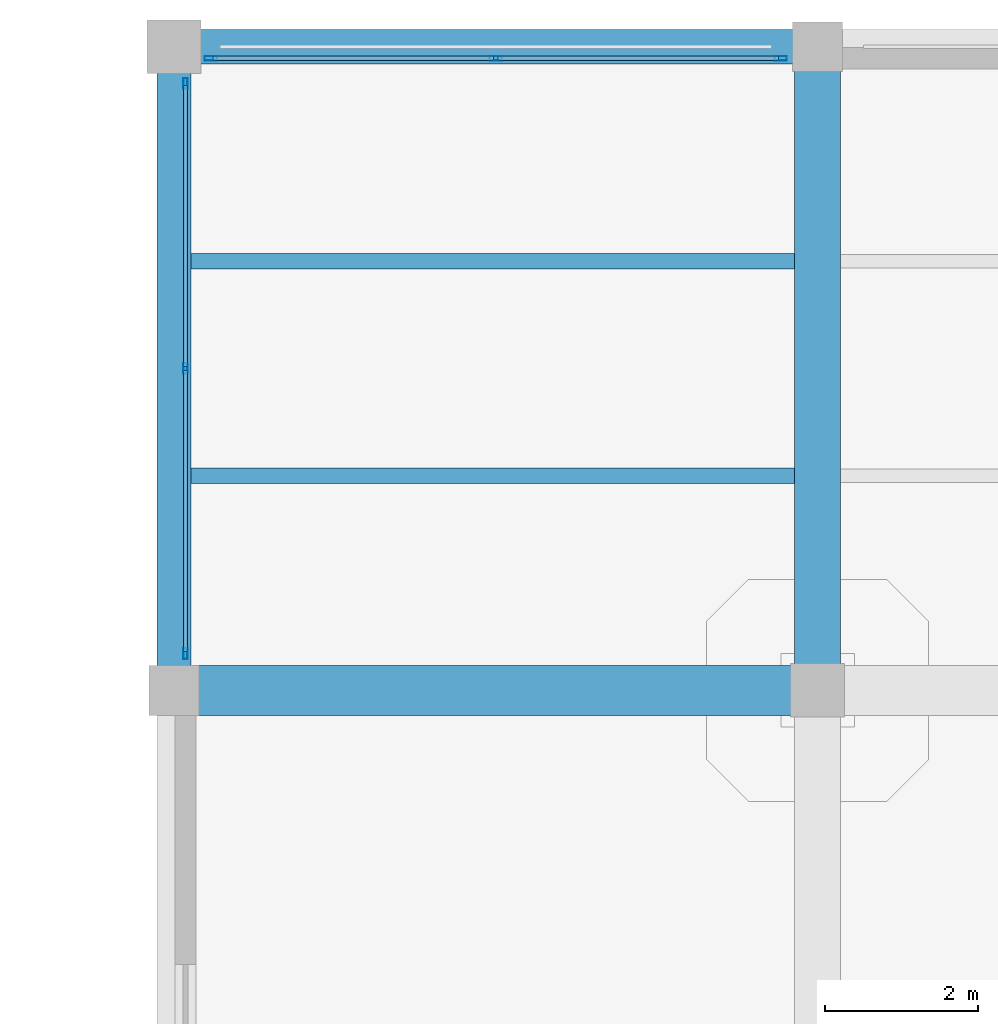
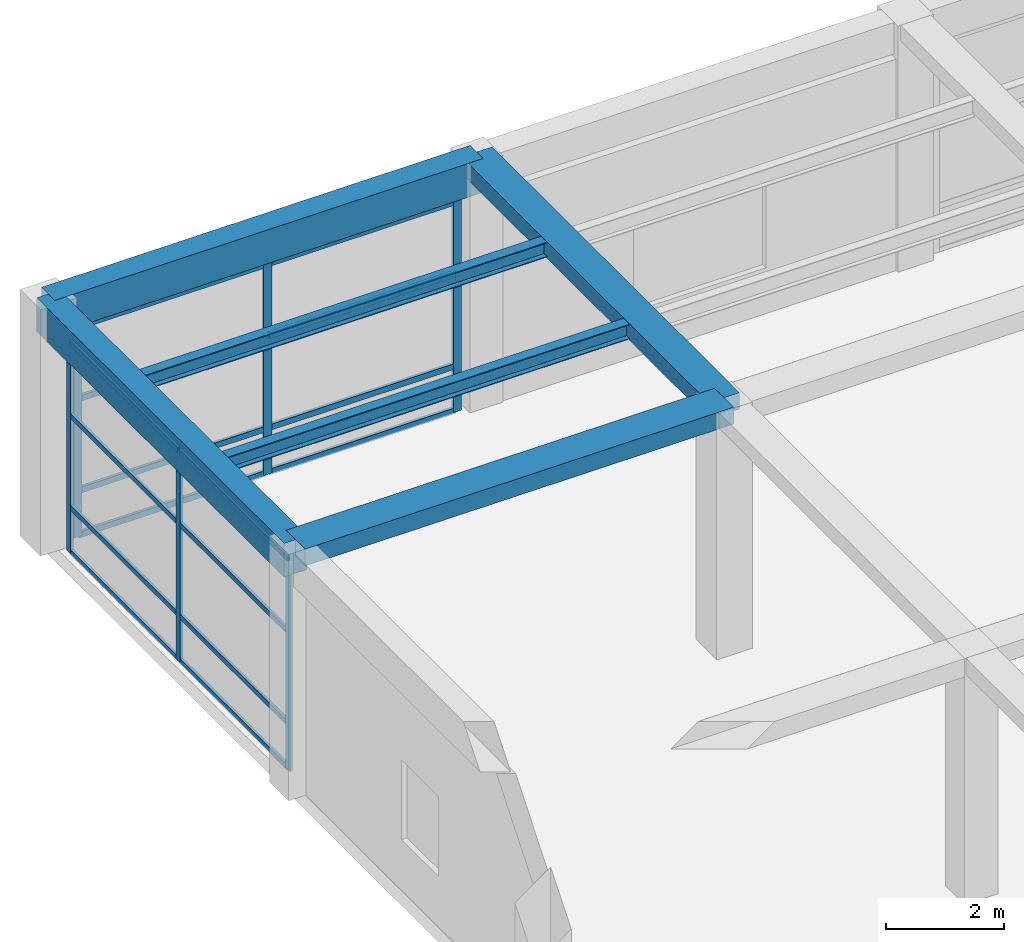
# One storey, part 35 of 96: 22 members, 6 beams, 2 elements without a shape of their own.
"""IFC4 building model written with IfcOpenShell, lengths in metres."""

from ifc_helpers import new_model, si_unit, direction, frame, origin, origin_2d, place, context, subcontext, project, spatial, rectangle, hollow_rectangle, i_section, extrude, material, material_profile, profile_set, type_object, element, aggregate, save


model = new_model("IFC4")

# Units and contexts
model_context = context("Model", 3, precision=1e-05, world=origin(), true_north=direction((0.0, 1.0)))
body_context = subcontext(model_context, "Body", "Model", "MODEL_VIEW")
ifc_project = project(units=[si_unit("LENGTHUNIT", "METRE"), si_unit("AREAUNIT", "SQUARE_METRE"), si_unit("VOLUMEUNIT", "CUBIC_METRE"), si_unit("PLANEANGLEUNIT", "RADIAN"), si_unit("MASSUNIT", "GRAM", prefix="KILO")], contexts=[model_context])

# Site, building, storey
site_placement = place(None, origin())
site = spatial("IfcSite", under=ifc_project, at=site_placement, CompositionType="ELEMENT")
building_placement = place(site_placement, origin())
building = spatial("IfcBuilding", under=site, at=building_placement, Name="Almacenes y Pasaje Nevantli", CompositionType="ELEMENT")
storey_placement = place(building_placement, frame((0.0, 0.0, 6.0)))
storey = spatial("IfcBuildingStorey", under=building, at=storey_placement, Name="L02", CompositionType="ELEMENT", Elevation=6.0)

# Beams
ifc_material_1 = material(Name="Concrete C35/45", Category="concrete")
ifc_material_profile_1 = material_profile(ifc_material_1, rectangle(XDim=0.449951171875, YDim=0.699951171875, at=origin_2d()), Name="RC-BM-450x700")
ifc_profile_set_1 = profile_set([ifc_material_profile_1], Name="Concrete C35/45")
beam_type_1 = type_object("IfcBeamType", Name="BM-RC-450x700", PredefinedType="SPANDREL", material=ifc_profile_set_1)
beam_1_placement = place(storey_placement, frame((0.0, 117.60009765625, 4.75), z_axis=(1.0, 0.0, 0.0), x_axis=(0.0, 1.0, 0.0)))
element("IfcBeam", 1, at=beam_1_placement, inside=storey, type_object=beam_type_1, Name="L02 East-West Reinforced Concrete Beam #1946", PredefinedType="SPANDREL", context=body_context, shape_type="SweptSolid", body=[
    extrude(rectangle(XDim=0.449951171875, YDim=0.699951171875, at=origin_2d()), origin(), (0.0, 0.0, 1.0), 8.39990234375),
])
beam_2_placement = place(storey_placement, frame((0.0, 109.199951171875, 4.75), z_axis=(0.0, 1.0, 0.0), x_axis=(-1.0, 0.0, 0.0)))
element("IfcBeam", 2, at=beam_2_placement, inside=storey, type_object=beam_type_1, Name="L02 North-South Reinforced Concrete Beam #1976", PredefinedType="SPANDREL", context=body_context, shape_type="SweptSolid", body=[
    extrude(rectangle(XDim=0.449951171875, YDim=0.699951171875, at=origin_2d()), origin(), (0.0, 0.0, 1.0), 8.400146484375),
])
ifc_material_2 = material(Name="Concrete C35/45", Category="concrete")
ifc_material_profile_2 = material_profile(ifc_material_2, rectangle(XDim=0.60009765625, YDim=0.340087890625, at=origin_2d()), Name="RC-BM-600x340")
ifc_profile_set_2 = profile_set([ifc_material_profile_2], Name="Concrete C35/45")
beam_type_2 = type_object("IfcBeamType", Name="BM-RC-600x340", PredefinedType="BEAM", material=ifc_profile_set_2)
beam_3_placement = place(storey_placement, frame((8.39990234375, 109.199951171875, 4.929931640625), z_axis=(0.0, 1.0, 0.0), x_axis=(-1.0, 0.0, 0.0)))
element("IfcBeam", 3, at=beam_3_placement, inside=storey, type_object=beam_type_2, Name="L02 North-South Reinforced Concrete Beam #1987", PredefinedType="BEAM", context=body_context, shape_type="SweptSolid", body=[
    extrude(rectangle(XDim=0.60009765625, YDim=0.340087890625, at=origin_2d()), origin(), (0.0, 0.0, 1.0), 8.400146484375),
])
ifc_material_3 = material(Name="Concrete C35/45", Category="concrete")
ifc_material_profile_3 = material_profile(ifc_material_3, rectangle(XDim=0.64990234375, YDim=0.35009765625, at=origin_2d()), Name="RC-BM-650x350")
ifc_profile_set_3 = profile_set([ifc_material_profile_3], Name="Concrete C35/45")
beam_type_3 = type_object("IfcBeamType", Name="BM-RC-650x350", PredefinedType="BEAM", material=ifc_profile_set_3)
beam_4_placement = place(storey_placement, frame((0.0, 109.199951171875, 4.925048828125), z_axis=(1.0, 0.0, 0.0), x_axis=(0.0, 1.0, 0.0)))
element("IfcBeam", 4, at=beam_4_placement, inside=storey, type_object=beam_type_3, Name="L02 East-West Reinforced Concrete Beam #1929", PredefinedType="BEAM", context=body_context, shape_type="SweptSolid", body=[
    extrude(rectangle(XDim=0.64990234375, YDim=0.35009765625, at=origin_2d()), origin(), (0.0, 0.0, 1.0), 8.39990234375),
])
ifc_material_4 = material(Name="Steel ASTM A992", Category="steel")
ifc_material_profile_4 = material_profile(ifc_material_4, i_section(OverallWidth=0.205078125, OverallDepth=0.31005859375, WebThickness=0.009521484375, FlangeThickness=0.016357421875, at=origin_2d()), Name="IR 305x74.4")
ifc_profile_set_4 = profile_set([ifc_material_profile_4], Name="Steel ASTM A992")
beam_type_4 = type_object("IfcBeamType", Name="BM-STL-IR-305x74p4", PredefinedType="JOIST", material=ifc_profile_set_4)
for number, where, z_axis, x_axis, name in (
    (5, (0.22509765625, 112.0, 4.93701171875), (1.0, 0.0, 0.0), (0.0, 1.0, 0.0), "L02 Secondary Steel Floor Joist #339"),
    (6, (0.22509765625, 114.800048828125, 4.93701171875), (1.0, 0.0, 0.0), (0.0, 1.0, 0.0), "L02 Secondary Steel Floor Joist #340"),
):
    element("IfcBeam", number, at=place(storey_placement, frame(where, z_axis=z_axis, x_axis=x_axis)), inside=storey, type_object=beam_type_4, Name=name, PredefinedType="JOIST", context=body_context, shape_type="SweptSolid", body=[
        extrude(i_section(OverallWidth=0.205078125, OverallDepth=0.31005859375, WebThickness=0.009521484375, FlangeThickness=0.016357421875, at=origin_2d()), origin(), (0.0, 0.0, 1.0), 7.875),
    ])

# Curtain wall, members
ifc_material_5 = material(Name="Thermally Broken Aluminium and Low-E Glass", Category="aluminium")
curtain_wall_type_1 = type_object("IfcCurtainWallType", Name="CW-UNIT-PODIUM", PredefinedType="USERDEFINED", material=ifc_material_5)
curtain_wall_1_placement = place(storey_placement, origin())
curtain_wall_1 = element("IfcCurtainWall", 7, at=curtain_wall_1_placement, inside=storey, type_object=curtain_wall_type_1, Name="L02 West Avenue Unitized Curtain Wall Bay 14", ObjectType="UNITIZED CURTAIN WALL", PredefinedType="USERDEFINED")
ifc_material_6 = material(Name="Thermally Broken Anodized Aluminium", Category="aluminium")
ifc_material_profile_5 = material_profile(ifc_material_6, hollow_rectangle(XDim=0.054931640625, YDim=0.139892578125, WallThickness=0.00341796875, at=origin_2d()), Name="ALU-MUL-55x140")
ifc_profile_set_5 = profile_set([ifc_material_profile_5], Name="Thermally Broken Anodized Aluminium")
member_type_1 = type_object("IfcMemberType", Name="CW-MUL-160", PredefinedType="MULLION", material=ifc_profile_set_5)
member_1_placement = place(storey_placement, frame((0.14990234375, 109.677490234375, 0.0), z_axis=(0.0, 0.0, 1.0), x_axis=(-1.0, 0.0, 0.0)))
member_1 = element("IfcMember", 8, at=member_1_placement, type_object=member_type_1, Name="CW-L02-020 mullion 1", PredefinedType="MULLION", context=body_context, shape_type="SweptSolid", body=[
    extrude(hollow_rectangle(XDim=0.054931640625, YDim=0.139892578125, WallThickness=0.00341796875, at=origin_2d()), origin(), (0.0, 0.0, 1.0), 4.3798828125),
])
member_2_placement = place(storey_placement, frame((0.14990234375, 113.39990234375, 0.0), z_axis=(0.0, 0.0, 1.0), x_axis=(-1.0, 0.0, 0.0)))
member_2 = element("IfcMember", 9, at=member_2_placement, type_object=member_type_1, Name="CW-L02-020 mullion 2", PredefinedType="MULLION", context=body_context, shape_type="SweptSolid", body=[
    extrude(hollow_rectangle(XDim=0.054931640625, YDim=0.139892578125, WallThickness=0.00341796875, at=origin_2d()), origin(), (0.0, 0.0, 1.0), 4.3798828125),
])
member_3_placement = place(storey_placement, frame((0.14990234375, 117.12255859375, 0.0), z_axis=(0.0, 0.0, 1.0), x_axis=(-1.0, 0.0, 0.0)))
member_3 = element("IfcMember", 10, at=member_3_placement, type_object=member_type_1, Name="CW-L02-020 mullion 3", PredefinedType="MULLION", context=body_context, shape_type="SweptSolid", body=[
    extrude(hollow_rectangle(XDim=0.054931640625, YDim=0.139892578125, WallThickness=0.00341796875, at=origin_2d()), origin(), (0.0, 0.0, 1.0), 4.3798828125),
])

ifc_material_7 = material(Name="Thermally Broken Aluminium and Low-E Glass", Category="aluminium")
curtain_wall_type_2 = type_object("IfcCurtainWallType", Name="CW-STF-BLVD", PredefinedType="USERDEFINED", material=ifc_material_7)
curtain_wall_2_placement = place(storey_placement, origin())
curtain_wall_2 = element("IfcCurtainWall", 11, at=curtain_wall_2_placement, inside=storey, type_object=curtain_wall_type_2, Name="L02 North Boulevard Retail Curtain Wall Bay 1", ObjectType="STOREFRONT GLAZING", PredefinedType="USERDEFINED")
ifc_material_8 = material(Name="Thermally Broken Anodized Aluminium", Category="aluminium")
ifc_material_profile_6 = material_profile(ifc_material_8, hollow_rectangle(XDim=0.06005859375, YDim=0.159912109375, WallThickness=0.00390625, at=origin_2d()), Name="ALU-MUL-60x160")
ifc_profile_set_6 = profile_set([ifc_material_profile_6], Name="Thermally Broken Anodized Aluminium")
member_type_2 = type_object("IfcMemberType", Name="CW-MUL-180", PredefinedType="MULLION", material=ifc_profile_set_6)
member_4_placement = place(storey_placement, frame((0.47998046875, 117.449951171875, 0.0), z_axis=(0.0, 0.0, 1.0), x_axis=(0.0, 1.0, 0.0)))
member_4 = element("IfcMember", 12, at=member_4_placement, type_object=member_type_2, Name="CW-L02-001 mullion 1", PredefinedType="MULLION", context=body_context, shape_type="SweptSolid", body=[
    extrude(hollow_rectangle(XDim=0.06005859375, YDim=0.159912109375, WallThickness=0.00390625, at=origin_2d()), origin(), (0.0, 0.0, 1.0), 4.3798828125),
])
member_5_placement = place(storey_placement, frame((4.199951171875, 117.449951171875, 0.0), z_axis=(0.0, 0.0, 1.0), x_axis=(0.0, 1.0, 0.0)))
member_5 = element("IfcMember", 13, at=member_5_placement, type_object=member_type_2, Name="CW-L02-001 mullion 2", PredefinedType="MULLION", context=body_context, shape_type="SweptSolid", body=[
    extrude(hollow_rectangle(XDim=0.06005859375, YDim=0.159912109375, WallThickness=0.00390625, at=origin_2d()), origin(), (0.0, 0.0, 1.0), 4.3798828125),
])
member_6_placement = place(storey_placement, frame((7.919921875, 117.449951171875, 0.0), z_axis=(0.0, 0.0, 1.0), x_axis=(0.0, 1.0, 0.0)))
member_6 = element("IfcMember", 14, at=member_6_placement, type_object=member_type_2, Name="CW-L02-001 mullion 3", PredefinedType="MULLION", context=body_context, shape_type="SweptSolid", body=[
    extrude(hollow_rectangle(XDim=0.06005859375, YDim=0.159912109375, WallThickness=0.00390625, at=origin_2d()), origin(), (0.0, 0.0, 1.0), 4.3798828125),
])

# Member
ifc_material_9 = material(Name="Thermally Broken Anodized Aluminium", Category="aluminium")
ifc_material_profile_7 = material_profile(ifc_material_9, hollow_rectangle(XDim=0.054931640625, YDim=0.10498046875, WallThickness=0.003173828125, at=origin_2d()), Name="ALU-TRN-55x105")
ifc_profile_set_7 = profile_set([ifc_material_profile_7], Name="Thermally Broken Anodized Aluminium")
member_type_3 = type_object("IfcMemberType", Name="CW-TRN-120", PredefinedType="USERDEFINED", material=ifc_profile_set_7)
member_7_placement = place(storey_placement, frame((0.14990234375, 109.705078125, 0.027587890625), z_axis=(0.0, 1.0, 0.0), x_axis=(-1.0, 0.0, 0.0)))
member_7 = element("IfcMember", 15, at=member_7_placement, type_object=member_type_3, Name="CW-L02-020 transom 1.1", ObjectType="TRANSOM", PredefinedType="USERDEFINED", context=body_context, shape_type="SweptSolid", body=[
    extrude(hollow_rectangle(XDim=0.054931640625, YDim=0.10498046875, WallThickness=0.003173828125, at=origin_2d()), origin(), (0.0, 0.0, 1.0), 3.66748046875),
])

member_8_placement = place(storey_placement, frame((0.14990234375, 109.705078125, 0.949951171875), z_axis=(0.0, 1.0, 0.0), x_axis=(-1.0, 0.0, 0.0)))
member_8 = element("IfcMember", 16, at=member_8_placement, type_object=member_type_3, Name="CW-L02-020 transom 1.2", ObjectType="TRANSOM", PredefinedType="USERDEFINED", context=body_context, shape_type="SweptSolid", body=[
    extrude(hollow_rectangle(XDim=0.054931640625, YDim=0.10498046875, WallThickness=0.003173828125, at=origin_2d()), origin(), (0.0, 0.0, 1.0), 3.66748046875),
])

member_9_placement = place(storey_placement, frame((0.14990234375, 109.705078125, 2.85009765625), z_axis=(0.0, 1.0, 0.0), x_axis=(-1.0, 0.0, 0.0)))
member_9 = element("IfcMember", 17, at=member_9_placement, type_object=member_type_3, Name="CW-L02-020 transom 1.3", ObjectType="TRANSOM", PredefinedType="USERDEFINED", context=body_context, shape_type="SweptSolid", body=[
    extrude(hollow_rectangle(XDim=0.054931640625, YDim=0.10498046875, WallThickness=0.003173828125, at=origin_2d()), origin(), (0.0, 0.0, 1.0), 3.66748046875),
])

member_10_placement = place(storey_placement, frame((0.14990234375, 109.705078125, 4.3525390625), z_axis=(0.0, 1.0, 0.0), x_axis=(-1.0, 0.0, 0.0)))
member_10 = element("IfcMember", 18, at=member_10_placement, type_object=member_type_3, Name="CW-L02-020 transom 1.4", ObjectType="TRANSOM", PredefinedType="USERDEFINED", context=body_context, shape_type="SweptSolid", body=[
    extrude(hollow_rectangle(XDim=0.054931640625, YDim=0.10498046875, WallThickness=0.003173828125, at=origin_2d()), origin(), (0.0, 0.0, 1.0), 3.66748046875),
])

member_11_placement = place(storey_placement, frame((0.14990234375, 113.427490234375, 0.027587890625), z_axis=(0.0, 1.0, 0.0), x_axis=(-1.0, 0.0, 0.0)))
member_11 = element("IfcMember", 19, at=member_11_placement, type_object=member_type_3, Name="CW-L02-020 transom 2.1", ObjectType="TRANSOM", PredefinedType="USERDEFINED", context=body_context, shape_type="SweptSolid", body=[
    extrude(hollow_rectangle(XDim=0.054931640625, YDim=0.10498046875, WallThickness=0.003173828125, at=origin_2d()), origin(), (0.0, 0.0, 1.0), 3.66748046875),
])

member_12_placement = place(storey_placement, frame((0.14990234375, 113.427490234375, 0.949951171875), z_axis=(0.0, 1.0, 0.0), x_axis=(-1.0, 0.0, 0.0)))
member_12 = element("IfcMember", 20, at=member_12_placement, type_object=member_type_3, Name="CW-L02-020 transom 2.2", ObjectType="TRANSOM", PredefinedType="USERDEFINED", context=body_context, shape_type="SweptSolid", body=[
    extrude(hollow_rectangle(XDim=0.054931640625, YDim=0.10498046875, WallThickness=0.003173828125, at=origin_2d()), origin(), (0.0, 0.0, 1.0), 3.66748046875),
])

member_13_placement = place(storey_placement, frame((0.14990234375, 113.427490234375, 2.85009765625), z_axis=(0.0, 1.0, 0.0), x_axis=(-1.0, 0.0, 0.0)))
member_13 = element("IfcMember", 21, at=member_13_placement, type_object=member_type_3, Name="CW-L02-020 transom 2.3", ObjectType="TRANSOM", PredefinedType="USERDEFINED", context=body_context, shape_type="SweptSolid", body=[
    extrude(hollow_rectangle(XDim=0.054931640625, YDim=0.10498046875, WallThickness=0.003173828125, at=origin_2d()), origin(), (0.0, 0.0, 1.0), 3.66748046875),
])

member_14_placement = place(storey_placement, frame((0.14990234375, 113.427490234375, 4.3525390625), z_axis=(0.0, 1.0, 0.0), x_axis=(-1.0, 0.0, 0.0)))
member_14 = element("IfcMember", 22, at=member_14_placement, type_object=member_type_3, Name="CW-L02-020 transom 2.4", ObjectType="TRANSOM", PredefinedType="USERDEFINED", context=body_context, shape_type="SweptSolid", body=[
    extrude(hollow_rectangle(XDim=0.054931640625, YDim=0.10498046875, WallThickness=0.003173828125, at=origin_2d()), origin(), (0.0, 0.0, 1.0), 3.66748046875),
])

aggregate(curtain_wall_1, [member_1, member_2, member_3, member_7, member_8, member_9, member_10, member_11, member_12, member_13, member_14])

ifc_material_10 = material(Name="Thermally Broken Anodized Aluminium", Category="aluminium")
ifc_material_profile_8 = material_profile(ifc_material_10, hollow_rectangle(XDim=0.06005859375, YDim=0.1201171875, WallThickness=0.00341796875, at=origin_2d()), Name="ALU-TRN-60x120")
ifc_profile_set_8 = profile_set([ifc_material_profile_8], Name="Thermally Broken Anodized Aluminium")
member_type_4 = type_object("IfcMemberType", Name="CW-TRN-130", PredefinedType="USERDEFINED", material=ifc_profile_set_8)
member_15_placement = place(storey_placement, frame((0.510009765625, 117.449951171875, 0.030029296875), z_axis=(1.0, 0.0, 0.0), x_axis=(0.0, 1.0, 0.0)))
member_15 = element("IfcMember", 23, at=member_15_placement, type_object=member_type_4, Name="CW-L02-001 transom 1.1", ObjectType="TRANSOM", PredefinedType="USERDEFINED", context=body_context, shape_type="SweptSolid", body=[
    extrude(hollow_rectangle(XDim=0.06005859375, YDim=0.1201171875, WallThickness=0.00341796875, at=origin_2d()), origin(), (0.0, 0.0, 1.0), 3.659912109375),
])

member_16_placement = place(storey_placement, frame((0.510009765625, 117.449951171875, 0.949951171875), z_axis=(1.0, 0.0, 0.0), x_axis=(0.0, 1.0, 0.0)))
member_16 = element("IfcMember", 24, at=member_16_placement, type_object=member_type_4, Name="CW-L02-001 transom 1.2", ObjectType="TRANSOM", PredefinedType="USERDEFINED", context=body_context, shape_type="SweptSolid", body=[
    extrude(hollow_rectangle(XDim=0.06005859375, YDim=0.1201171875, WallThickness=0.00341796875, at=origin_2d()), origin(), (0.0, 0.0, 1.0), 3.659912109375),
])

member_17_placement = place(storey_placement, frame((0.510009765625, 117.449951171875, 2.85009765625), z_axis=(1.0, 0.0, 0.0), x_axis=(0.0, 1.0, 0.0)))
member_17 = element("IfcMember", 25, at=member_17_placement, type_object=member_type_4, Name="CW-L02-001 transom 1.3", ObjectType="TRANSOM", PredefinedType="USERDEFINED", context=body_context, shape_type="SweptSolid", body=[
    extrude(hollow_rectangle(XDim=0.06005859375, YDim=0.1201171875, WallThickness=0.00341796875, at=origin_2d()), origin(), (0.0, 0.0, 1.0), 3.659912109375),
])

member_18_placement = place(storey_placement, frame((0.510009765625, 117.449951171875, 4.35009765625), z_axis=(1.0, 0.0, 0.0), x_axis=(0.0, 1.0, 0.0)))
member_18 = element("IfcMember", 26, at=member_18_placement, type_object=member_type_4, Name="CW-L02-001 transom 1.4", ObjectType="TRANSOM", PredefinedType="USERDEFINED", context=body_context, shape_type="SweptSolid", body=[
    extrude(hollow_rectangle(XDim=0.06005859375, YDim=0.1201171875, WallThickness=0.00341796875, at=origin_2d()), origin(), (0.0, 0.0, 1.0), 3.659912109375),
])

member_19_placement = place(storey_placement, frame((4.22998046875, 117.449951171875, 0.030029296875), z_axis=(1.0, 0.0, 0.0), x_axis=(0.0, 1.0, 0.0)))
member_19 = element("IfcMember", 27, at=member_19_placement, type_object=member_type_4, Name="CW-L02-001 transom 2.1", ObjectType="TRANSOM", PredefinedType="USERDEFINED", context=body_context, shape_type="SweptSolid", body=[
    extrude(hollow_rectangle(XDim=0.06005859375, YDim=0.1201171875, WallThickness=0.00341796875, at=origin_2d()), origin(), (0.0, 0.0, 1.0), 3.659912109375),
])

member_20_placement = place(storey_placement, frame((4.22998046875, 117.449951171875, 0.949951171875), z_axis=(1.0, 0.0, 0.0), x_axis=(0.0, 1.0, 0.0)))
member_20 = element("IfcMember", 28, at=member_20_placement, type_object=member_type_4, Name="CW-L02-001 transom 2.2", ObjectType="TRANSOM", PredefinedType="USERDEFINED", context=body_context, shape_type="SweptSolid", body=[
    extrude(hollow_rectangle(XDim=0.06005859375, YDim=0.1201171875, WallThickness=0.00341796875, at=origin_2d()), origin(), (0.0, 0.0, 1.0), 3.659912109375),
])

member_21_placement = place(storey_placement, frame((4.22998046875, 117.449951171875, 2.85009765625), z_axis=(1.0, 0.0, 0.0), x_axis=(0.0, 1.0, 0.0)))
member_21 = element("IfcMember", 29, at=member_21_placement, type_object=member_type_4, Name="CW-L02-001 transom 2.3", ObjectType="TRANSOM", PredefinedType="USERDEFINED", context=body_context, shape_type="SweptSolid", body=[
    extrude(hollow_rectangle(XDim=0.06005859375, YDim=0.1201171875, WallThickness=0.00341796875, at=origin_2d()), origin(), (0.0, 0.0, 1.0), 3.659912109375),
])

member_22_placement = place(storey_placement, frame((4.22998046875, 117.449951171875, 4.35009765625), z_axis=(1.0, 0.0, 0.0), x_axis=(0.0, 1.0, 0.0)))
member_22 = element("IfcMember", 30, at=member_22_placement, type_object=member_type_4, Name="CW-L02-001 transom 2.4", ObjectType="TRANSOM", PredefinedType="USERDEFINED", context=body_context, shape_type="SweptSolid", body=[
    extrude(hollow_rectangle(XDim=0.06005859375, YDim=0.1201171875, WallThickness=0.00341796875, at=origin_2d()), origin(), (0.0, 0.0, 1.0), 3.659912109375),
])

aggregate(curtain_wall_2, [member_4, member_5, member_6, member_15, member_16, member_17, member_18, member_19, member_20, member_21, member_22])

save(model, "model.ifc")
